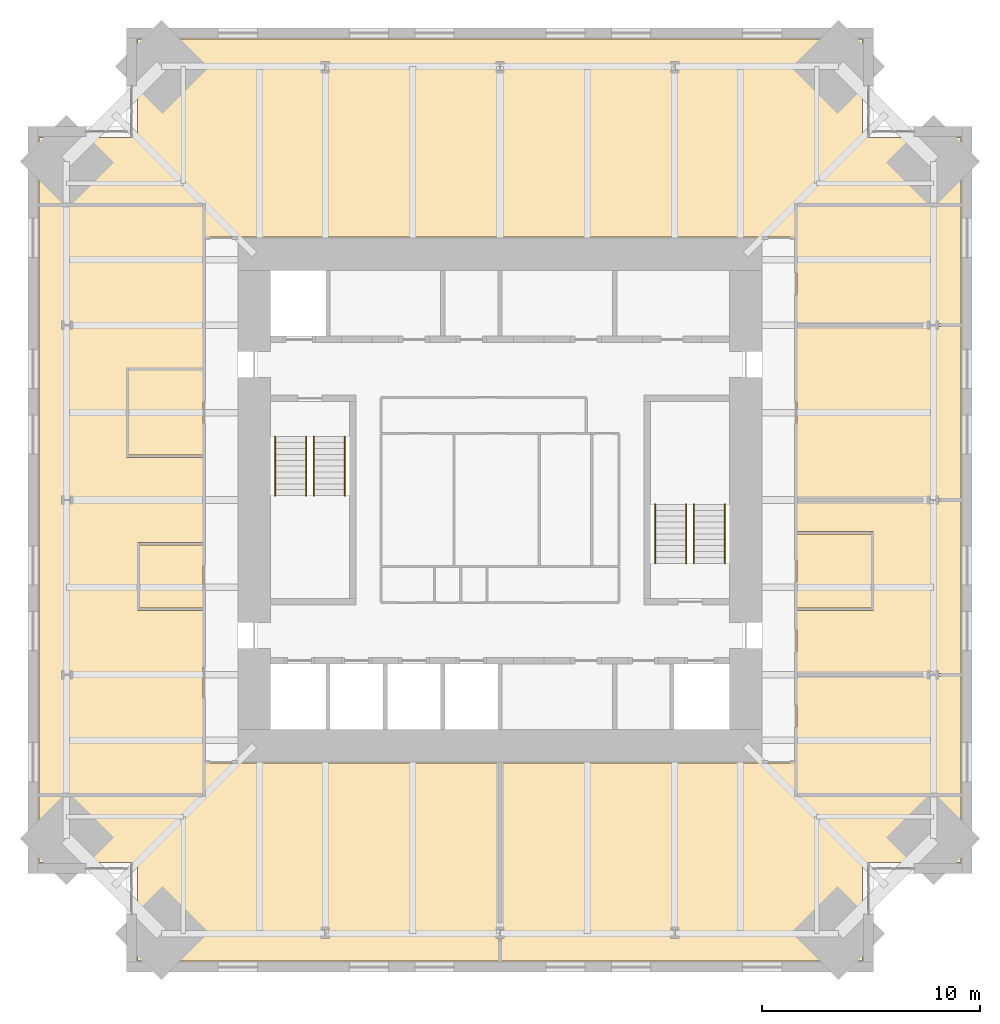
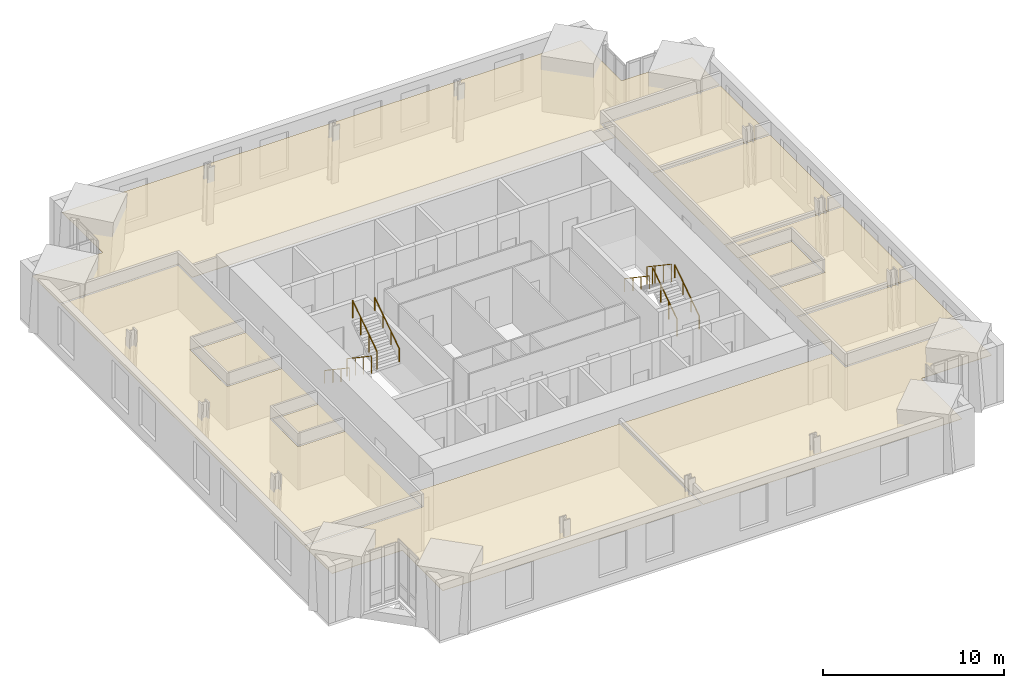
# One storey, part 16 of 16: 11 coverings, 8 railings.
"""IFC4 building model written with IfcOpenShell, lengths in metres."""

from ifc_helpers import new_model, si_unit, direction, frame, origin, origin_2d, place, context, subcontext, project, spatial, polyline, circle, outline, extrude, material, layer, layer_set, type_object, element, save


model = new_model("IFC4")

# Units and contexts
model_context = context("Model", 3, precision=1e-05, world=origin(), true_north=direction((0.0, 1.0)))
body_context = subcontext(model_context, "Body", "Model", "MODEL_VIEW")
ifc_project = project(units=[si_unit("LENGTHUNIT", "METRE"), si_unit("AREAUNIT", "SQUARE_METRE"), si_unit("VOLUMEUNIT", "CUBIC_METRE"), si_unit("PLANEANGLEUNIT", "RADIAN"), si_unit("MASSUNIT", "GRAM", prefix="KILO")], contexts=[model_context])

# Site, building, storey
site_placement = place(None, origin())
site = spatial("IfcSite", under=ifc_project, at=site_placement, CompositionType="ELEMENT")
building_placement = place(site_placement, origin())
building = spatial("IfcBuilding", under=site, at=building_placement, Name="Peilmerk Tower", CompositionType="ELEMENT")
storey_placement = place(building_placement, frame((0.0, 0.0, 273.800048828125)))
storey = spatial("IfcBuildingStorey", under=building, at=storey_placement, Name="L61", CompositionType="ELEMENT", Elevation=273.800048828125)

# Coverings
ifc_material_1 = material(Name="Mineral fibre ceiling tiles", Category="mineral")
ifc_layer = layer(ifc_material_1, 0.02490234375)
ifc_layer_set = layer_set([ifc_layer], Name="Mineral fibre ceiling tiles")
covering_type = type_object("IfcCoveringType", Name="CL1 25 suspended ceiling", PredefinedType="CEILING", material=ifc_layer_set)
covering_1_placement = place(storey_placement, frame((0.0, 0.0, 2.905029296875)))
element("IfcCovering", 1, at=covering_1_placement, inside=storey, type_object=covering_type, Name="Suspended ceiling Client suite", PredefinedType="CEILING", context=body_context, shape_type="SweptSolid", body=[
    extrude(outline(polyline([(-21.10009765625, 16.60009765625), (-21.10009765625, 13.550048828125), (-13.5, 13.550048828125), (-13.5, 12.050048828125), (13.5, 12.050048828125), (13.5, 13.550048828125), (21.10009765625, 13.550048828125), (21.10009765625, 16.60009765625), (16.60009765625, 16.60009765625), (16.60009765625, 21.10009765625), (-16.60009765625, 21.10009765625), (-16.60009765625, 16.60009765625), (-21.10009765625, 16.60009765625)])), origin(), (0.0, 0.0, 1.0), 0.02490234375),
])
covering_2_placement = place(storey_placement, frame((0.0, 0.0, 2.905029296875)))
element("IfcCovering", 2, at=covering_2_placement, inside=storey, type_object=covering_type, Name="Suspended ceiling Open workspace", PredefinedType="CEILING", context=body_context, shape_type="SweptSolid", body=[
    extrude(outline(polyline([(-16.60009765625, -21.10009765625), (-0.050048828125, -21.10009765625), (-0.050048828125, -12.050048828125), (-13.5, -12.050048828125), (-13.5, -13.550048828125), (-21.10009765625, -13.550048828125), (-21.10009765625, -16.60009765625), (-16.60009765625, -16.60009765625), (-16.60009765625, -21.10009765625)])), origin(), (0.0, 0.0, 1.0), 0.02490234375),
])
covering_3_placement = place(storey_placement, frame((0.0, 0.0, 2.905029296875)))
element("IfcCovering", 3, at=covering_3_placement, inside=storey, type_object=covering_type, Name="Suspended ceiling Client suite", PredefinedType="CEILING", context=body_context, shape_type="SweptSolid", body=[
    extrude(outline(polyline([(0.050048828125, -21.10009765625), (16.60009765625, -21.10009765625), (16.60009765625, -16.60009765625), (21.10009765625, -16.60009765625), (21.10009765625, -13.550048828125), (13.5, -13.550048828125), (13.5, -12.050048828125), (0.050048828125, -12.050048828125), (0.050048828125, -21.10009765625)])), origin(), (0.0, 0.0, 1.0), 0.02490234375),
])
covering_4_placement = place(storey_placement, frame((0.0, 0.0, 2.905029296875)))
element("IfcCovering", 4, at=covering_4_placement, inside=storey, type_object=covering_type, Name="Suspended ceiling Executive office", PredefinedType="CEILING", context=body_context, shape_type="SweptSolid", body=[
    extrude(outline(polyline([(21.10009765625, -13.449951171875), (21.10009765625, -8.050048828125), (13.60009765625, -8.050048828125), (13.60009765625, -13.449951171875), (21.10009765625, -13.449951171875)])), origin(), (0.0, 0.0, 1.0), 0.02490234375),
])
covering_5_placement = place(storey_placement, frame((0.0, 0.0, 2.905029296875)))
element("IfcCovering", 5, at=covering_5_placement, inside=storey, type_object=covering_type, Name="Suspended ceiling Executive office", PredefinedType="CEILING", context=body_context, shape_type="SweptSolid", body=[
    extrude(outline(polyline([(13.60009765625, -7.949951171875), (21.10009765625, -7.949951171875), (21.10009765625, -0.050048828125), (13.60009765625, -0.050048828125), (13.60009765625, -1.449951171875), (17.10009765625, -1.449951171875), (17.10009765625, -5.050048828125), (13.60009765625, -5.050048828125), (13.60009765625, -7.949951171875)])), origin(), (0.0, 0.0, 1.0), 0.02490234375),
])
covering_6_placement = place(storey_placement, frame((0.0, 0.0, 2.905029296875)))
element("IfcCovering", 6, at=covering_6_placement, inside=storey, type_object=covering_type, Name="Suspended ceiling Executive office", PredefinedType="CEILING", context=body_context, shape_type="SweptSolid", body=[
    extrude(outline(polyline([(21.10009765625, 0.050048828125), (21.10009765625, 7.949951171875), (13.60009765625, 7.949951171875), (13.60009765625, 0.050048828125), (21.10009765625, 0.050048828125)])), origin(), (0.0, 0.0, 1.0), 0.02490234375),
])
covering_7_placement = place(storey_placement, frame((0.0, 0.0, 2.905029296875)))
element("IfcCovering", 7, at=covering_7_placement, inside=storey, type_object=covering_type, Name="Suspended ceiling Executive office", PredefinedType="CEILING", context=body_context, shape_type="SweptSolid", body=[
    extrude(outline(polyline([(21.10009765625, 8.050048828125), (21.10009765625, 13.449951171875), (13.60009765625, 13.449951171875), (13.60009765625, 8.050048828125), (21.10009765625, 8.050048828125)])), origin(), (0.0, 0.0, 1.0), 0.02490234375),
])
covering_8_placement = place(storey_placement, frame((0.0, 0.0, 2.905029296875)))
element("IfcCovering", 8, at=covering_8_placement, inside=storey, type_object=covering_type, Name="Suspended ceiling Pantry", PredefinedType="CEILING", context=body_context, shape_type="SweptSolid", body=[
    extrude(outline(polyline([(17.0, -4.949951171875), (17.0, -1.550048828125), (13.60009765625, -1.550048828125), (13.60009765625, -4.949951171875), (17.0, -4.949951171875)])), origin(), (0.0, 0.0, 1.0), 0.02490234375),
])
covering_9_placement = place(storey_placement, frame((0.0, 0.0, 2.905029296875)))
element("IfcCovering", 9, at=covering_9_placement, inside=storey, type_object=covering_type, Name="Suspended ceiling Client suite", PredefinedType="CEILING", context=body_context, shape_type="SweptSolid", body=[
    extrude(outline(polyline([(-13.60009765625, 13.449951171875), (-21.10009765625, 13.449951171875), (-21.10009765625, -13.449951171875), (-13.60009765625, -13.449951171875), (-13.60009765625, -5.050048828125), (-16.60009765625, -5.050048828125), (-16.60009765625, -1.949951171875), (-13.60009765625, -1.949951171875), (-13.60009765625, 1.949951171875), (-17.10009765625, 1.949951171875), (-17.10009765625, 6.050048828125), (-13.60009765625, 6.050048828125), (-13.60009765625, 13.449951171875)])), origin(), (0.0, 0.0, 1.0), 0.02490234375),
])
covering_10_placement = place(storey_placement, frame((0.0, 0.0, 2.905029296875)))
element("IfcCovering", 10, at=covering_10_placement, inside=storey, type_object=covering_type, Name="Suspended ceiling Meeting room", PredefinedType="CEILING", context=body_context, shape_type="SweptSolid", body=[
    extrude(outline(polyline([(-13.60009765625, 2.050048828125), (-13.60009765625, 5.949951171875), (-17.0, 5.949951171875), (-17.0, 2.050048828125), (-13.60009765625, 2.050048828125)])), origin(), (0.0, 0.0, 1.0), 0.02490234375),
])
covering_11_placement = place(storey_placement, frame((0.0, 0.0, 2.905029296875)))
element("IfcCovering", 11, at=covering_11_placement, inside=storey, type_object=covering_type, Name="Suspended ceiling Quiet room", PredefinedType="CEILING", context=body_context, shape_type="SweptSolid", body=[
    extrude(outline(polyline([(-13.60009765625, -4.949951171875), (-13.60009765625, -2.050048828125), (-16.5, -2.050048828125), (-16.5, -4.949951171875), (-13.60009765625, -4.949951171875)])), origin(), (0.0, 0.0, 1.0), 0.02490234375),
])

# Railings
ifc_material_2 = material(Name="Steel flat bar balustrade", Category="steel")
railing_type_1 = type_object("IfcRailingType", Name="GR1 1200 stair guard", PredefinedType="GUARDRAIL", material=ifc_material_2)
railing_1_placement = place(storey_placement, frame((-8.8798828125, 2.89990234375, 0.181884765625)))
element("IfcRailing", 12, at=railing_1_placement, inside=storey, type_object=railing_type_1, Name="Guard stair 1 L61", PredefinedType="GUARDRAIL", context=body_context, shape_type="SweptSolid", body=[
    extrude(circle(Radius=0.02392578125, at=origin_2d()), frame((0.0, 0.0, 1.17578125), z_axis=(0.0, -0.829468130872, 0.55855404382), x_axis=(1.0, 0.0, 0.0)), (0.0, 0.0, 1.0), 3.255126953125),
    extrude(circle(Radius=0.02099609375, at=origin_2d()), origin(), (0.0, 0.0, 1.0), 1.15185546875),
    extrude(circle(Radius=0.02099609375, at=origin_2d()), frame((0.0, -0.89990234375, 0.60595703125)), (0.0, 0.0, 1.0), 1.15185546875),
    extrude(circle(Radius=0.02099609375, at=origin_2d()), frame((0.0, -1.800048828125, 1.212158203125)), (0.0, 0.0, 1.0), 1.15185546875),
    extrude(circle(Radius=0.02099609375, at=origin_2d()), frame((0.0, -2.699951171875, 1.818115234375)), (0.0, 0.0, 1.0), 1.15185546875),
])
for number, where, name in (
    (13, (-8.52001953125, 0.199951171875, 2.181884765625), "Guard stair 1 L61"),
    (14, (8.8798828125, -2.89990234375, 0.181884765625), "Guard stair 2 L61"),
):
    element("IfcRailing", number, at=place(storey_placement, frame(where)), inside=storey, type_object=railing_type_1, Name=name, PredefinedType="GUARDRAIL", context=body_context, shape_type="SweptSolid", body=[
        extrude(circle(Radius=0.02392578125, at=origin_2d()), frame((0.0, 0.0, 1.17578125), z_axis=(0.0, 0.829468130872, 0.55855404382), x_axis=(-1.0, 0.0, 0.0)), (0.0, 0.0, 1.0), 3.255126953125),
        extrude(circle(Radius=0.02099609375, at=origin_2d()), origin(), (0.0, 0.0, 1.0), 1.15185546875),
        extrude(circle(Radius=0.02099609375, at=origin_2d()), frame((0.0, 0.89990234375, 0.60595703125)), (0.0, 0.0, 1.0), 1.15185546875),
        extrude(circle(Radius=0.02099609375, at=origin_2d()), frame((0.0, 1.800048828125, 1.212158203125)), (0.0, 0.0, 1.0), 1.15185546875),
        extrude(circle(Radius=0.02099609375, at=origin_2d()), frame((0.0, 2.699951171875, 1.818115234375)), (0.0, 0.0, 1.0), 1.15185546875),
    ])
railing_2_placement = place(storey_placement, frame((8.52001953125, -0.199951171875, 2.181884765625)))
element("IfcRailing", 15, at=railing_2_placement, inside=storey, type_object=railing_type_1, Name="Guard stair 2 L61", PredefinedType="GUARDRAIL", context=body_context, shape_type="SweptSolid", body=[
    extrude(circle(Radius=0.02392578125, at=origin_2d()), frame((0.0, 0.0, 1.17578125), z_axis=(0.0, -0.829468130872, 0.55855404382), x_axis=(1.0, 0.0, 0.0)), (0.0, 0.0, 1.0), 3.255126953125),
    extrude(circle(Radius=0.02099609375, at=origin_2d()), origin(), (0.0, 0.0, 1.0), 1.15185546875),
    extrude(circle(Radius=0.02099609375, at=origin_2d()), frame((0.0, -0.89990234375, 0.60595703125)), (0.0, 0.0, 1.0), 1.15185546875),
    extrude(circle(Radius=0.02099609375, at=origin_2d()), frame((0.0, -1.800048828125, 1.212158203125)), (0.0, 0.0, 1.0), 1.15185546875),
    extrude(circle(Radius=0.02099609375, at=origin_2d()), frame((0.0, -2.699951171875, 1.818115234375)), (0.0, 0.0, 1.0), 1.15185546875),
])
ifc_material_3 = material(Name="Stainless steel tube", Category="steel")
railing_type_2 = type_object("IfcRailingType", Name="HR1 900 stair handrail", PredefinedType="HANDRAIL", material=ifc_material_3)
railing_3_placement = place(storey_placement, frame((-10.300048828125, 2.89990234375, 0.181884765625)))
element("IfcRailing", 16, at=railing_3_placement, inside=storey, type_object=railing_type_2, Name="Handrail stair 1 L61", PredefinedType="HANDRAIL", context=body_context, shape_type="SweptSolid", body=[
    extrude(circle(Radius=0.02392578125, at=origin_2d()), frame((0.0, 0.0, 0.8759765625), z_axis=(0.0, -0.829468130872, 0.55855404382), x_axis=(1.0, 0.0, 0.0)), (0.0, 0.0, 1.0), 3.255126953125),
    extrude(circle(Radius=0.02099609375, at=origin_2d()), origin(), (0.0, 0.0, 1.0), 0.851806640625),
    extrude(circle(Radius=0.02099609375, at=origin_2d()), frame((0.0, -0.89990234375, 0.60595703125)), (0.0, 0.0, 1.0), 0.851806640625),
    extrude(circle(Radius=0.02099609375, at=origin_2d()), frame((0.0, -1.800048828125, 1.212158203125)), (0.0, 0.0, 1.0), 0.851806640625),
    extrude(circle(Radius=0.02099609375, at=origin_2d()), frame((0.0, -2.699951171875, 1.818115234375)), (0.0, 0.0, 1.0), 0.851806640625),
])
for number, where, name in (
    (17, (-7.10009765625, 0.199951171875, 2.181884765625), "Handrail stair 1 L61"),
    (18, (10.300048828125, -2.89990234375, 0.181884765625), "Handrail stair 2 L61"),
):
    element("IfcRailing", number, at=place(storey_placement, frame(where)), inside=storey, type_object=railing_type_2, Name=name, PredefinedType="HANDRAIL", context=body_context, shape_type="SweptSolid", body=[
        extrude(circle(Radius=0.02392578125, at=origin_2d()), frame((0.0, 0.0, 0.8759765625), z_axis=(0.0, 0.829468130872, 0.55855404382), x_axis=(-1.0, 0.0, 0.0)), (0.0, 0.0, 1.0), 3.255126953125),
        extrude(circle(Radius=0.02099609375, at=origin_2d()), origin(), (0.0, 0.0, 1.0), 0.851806640625),
        extrude(circle(Radius=0.02099609375, at=origin_2d()), frame((0.0, 0.89990234375, 0.60595703125)), (0.0, 0.0, 1.0), 0.851806640625),
        extrude(circle(Radius=0.02099609375, at=origin_2d()), frame((0.0, 1.800048828125, 1.212158203125)), (0.0, 0.0, 1.0), 0.851806640625),
        extrude(circle(Radius=0.02099609375, at=origin_2d()), frame((0.0, 2.699951171875, 1.818115234375)), (0.0, 0.0, 1.0), 0.851806640625),
    ])
railing_4_placement = place(storey_placement, frame((7.10009765625, -0.199951171875, 2.181884765625)))
element("IfcRailing", 19, at=railing_4_placement, inside=storey, type_object=railing_type_2, Name="Handrail stair 2 L61", PredefinedType="HANDRAIL", context=body_context, shape_type="SweptSolid", body=[
    extrude(circle(Radius=0.02392578125, at=origin_2d()), frame((0.0, 0.0, 0.8759765625), z_axis=(0.0, -0.829468130872, 0.55855404382), x_axis=(1.0, 0.0, 0.0)), (0.0, 0.0, 1.0), 3.255126953125),
    extrude(circle(Radius=0.02099609375, at=origin_2d()), origin(), (0.0, 0.0, 1.0), 0.851806640625),
    extrude(circle(Radius=0.02099609375, at=origin_2d()), frame((0.0, -0.89990234375, 0.60595703125)), (0.0, 0.0, 1.0), 0.851806640625),
    extrude(circle(Radius=0.02099609375, at=origin_2d()), frame((0.0, -1.800048828125, 1.212158203125)), (0.0, 0.0, 1.0), 0.851806640625),
    extrude(circle(Radius=0.02099609375, at=origin_2d()), frame((0.0, -2.699951171875, 1.818115234375)), (0.0, 0.0, 1.0), 0.851806640625),
])

save(model, "model.ifc")
